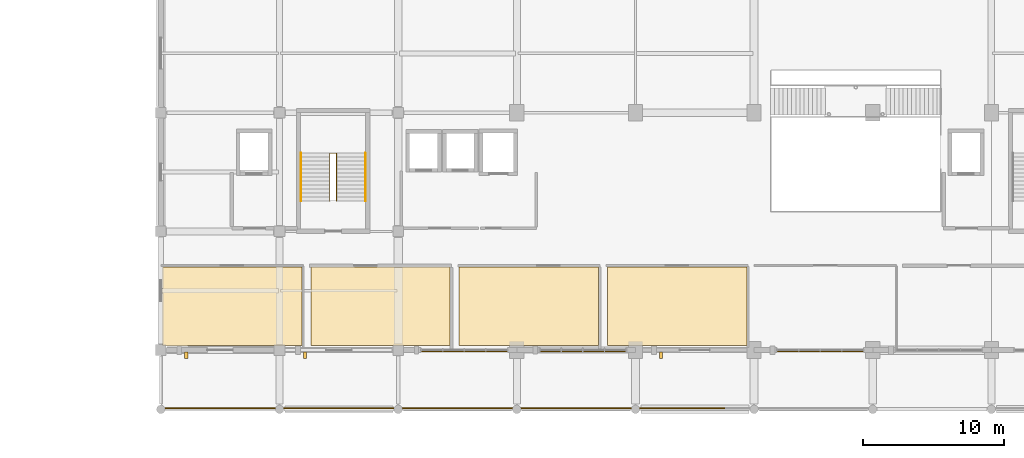
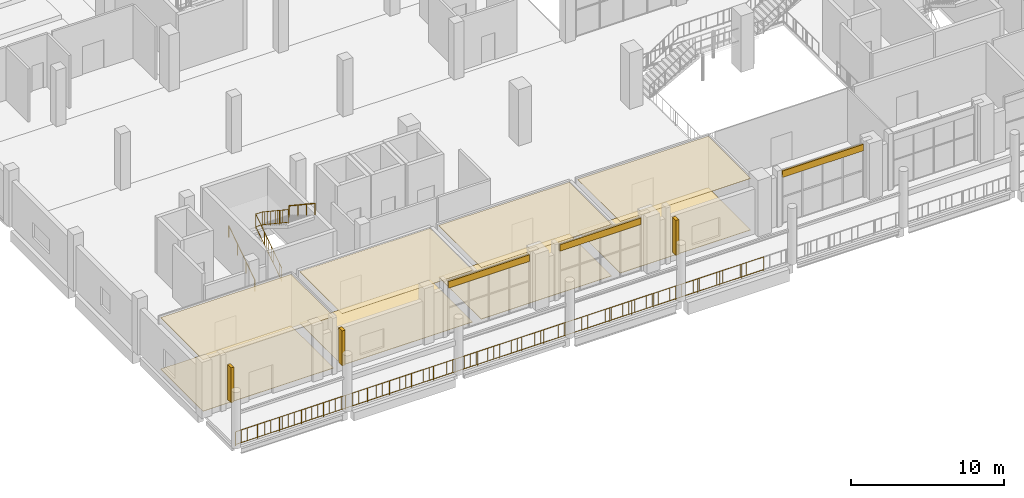
# One storey, part 68 of 75: 11 coverings, 5 railings, 3 shading devices.
"""IFC4 building model written with IfcOpenShell, lengths in metres."""

import ifcopenshell
import ifcopenshell.guid

model = None  # the IFC model being written
_history = None  # IfcOwnerHistory: only IFC2X3 demands one
_inside = {}  # id of a spatial element -> (the spatial element, [elements in it])
_under = {}  # id of a project, library or spatial element -> (it, [spatial elements below it])
_declared = {}  # id of a project -> (the project, [libraries it declares])
_typed = {}  # id of a type object -> (the type object, [elements of that type])
_made_of = {}  # id of a material, layer set ... -> (it, [elements and type objects made of it])


def new_model(schema):
    """Start an empty IFC model of exactly this schema.

    Asked for "IFC4X3", IfcOpenShell would pick the latest addendum, in which some entities
    have other attributes; the version numbers below select the first issue.
    IFC2X3 requires an IfcOwnerHistory on every rooted entity: one is made here for all.
    """
    global model, _history
    if schema == "IFC4X3":
        model = ifcopenshell.file(schema_version=(4, 3, 0, 0))
    else:
        model = ifcopenshell.file(schema=schema)
    _inside.clear()
    _under.clear()
    _declared.clear()
    _typed.clear()
    _made_of.clear()
    _history = None
    if model.schema == "IFC2X3":
        org = make("IfcOrganization", Name="unknown")
        user = make(
            "IfcPersonAndOrganization",
            ThePerson=make("IfcPerson", FamilyName="unknown"),
            TheOrganization=org,
        )
        app = make(
            "IfcApplication",
            ApplicationDeveloper=org,
            Version="unknown",
            ApplicationFullName="unknown",
            ApplicationIdentifier="unknown",
        )
        _history = make(
            "IfcOwnerHistory",
            OwningUser=user,
            OwningApplication=app,
            ChangeAction="ADDED",
            CreationDate=0,
        )
    return model


def make(cls, **values):
    """One entity of the class cls with the attributes given. An attribute that is None is left unset."""
    return model.create_entity(
        cls, **{name: value for name, value in values.items() if value is not None}
    )


def rooted(cls, **values):
    """An entity with a GlobalId (a new one), such as an element, a storey or a relation."""
    return make(cls, GlobalId=ifcopenshell.guid.new(), OwnerHistory=_history, **values)


def si_unit(unit_type, name, prefix=None):
    """IfcSIUnit, for example si_unit("LENGTHUNIT", "METRE", prefix="MILLI")."""
    return make("IfcSIUnit", UnitType=unit_type, Prefix=prefix, Name=name)


def derived_unit(unit_type, elements):
    """IfcDerivedUnit: a product of units, each with its exponent."""
    return make(
        "IfcDerivedUnit",
        Elements=[
            make("IfcDerivedUnitElement", Unit=unit, Exponent=power)
            for unit, power in elements
        ],
        UnitType=unit_type,
    )


def assignment(units):
    """IfcUnitAssignment: the units of a project."""
    return None if units is None else make("IfcUnitAssignment", Units=units)


def point(xyz):
    """IfcCartesianPoint."""
    return None if xyz is None else make("IfcCartesianPoint", Coordinates=xyz)


def direction(xyz):
    """IfcDirection."""
    return None if xyz is None else make("IfcDirection", DirectionRatios=xyz)


def frame(location, z_axis=None, x_axis=None):
    """IfcAxis2Placement3D, a coordinate frame: its origin and axes. An axis left out is left unset."""
    return make(
        "IfcAxis2Placement3D",
        Location=point(location),
        Axis=direction(z_axis),
        RefDirection=direction(x_axis),
    )


def frame_2d(location, x_axis=None):
    """IfcAxis2Placement2D, a coordinate frame in the plane: its origin and x axis."""
    return make(
        "IfcAxis2Placement2D", Location=point(location), RefDirection=direction(x_axis)
    )


def origin():
    """The frame at (0, 0, 0) with its axes left unset."""
    return frame((0.0, 0.0, 0.0))


def origin_2d():
    """The frame at (0, 0) in the plane with its x axis left unset."""
    return frame_2d((0.0, 0.0))


def place(relative_to, where):
    """IfcLocalPlacement: puts the frame where relative to a parent placement (None: the world)."""
    return make(
        "IfcLocalPlacement", PlacementRelTo=relative_to, RelativePlacement=where
    )


def context(
    kind, dimensions, precision=None, world=None, true_north=None, identifier=None
):
    """IfcGeometricRepresentationContext, for example the 3D "Model" context."""
    return make(
        "IfcGeometricRepresentationContext",
        ContextIdentifier=identifier,
        ContextType=kind,
        CoordinateSpaceDimension=dimensions,
        Precision=precision,
        WorldCoordinateSystem=world,
        TrueNorth=true_north,
    )


def subcontext(parent, identifier, kind, view, scale=None):
    """IfcGeometricRepresentationSubContext, for example "Body" below "Model"."""
    return make(
        "IfcGeometricRepresentationSubContext",
        ContextIdentifier=identifier,
        ContextType=kind,
        ParentContext=parent,
        TargetScale=scale,
        TargetView=view,
    )


def project(units=None, contexts=None):
    """IfcProject with its units and contexts."""
    return rooted(
        "IfcProject",
        Name="project",
        RepresentationContexts=contexts,
        UnitsInContext=assignment(units),
    )


def spatial(cls, under=None, at=None, **own):
    """A site, building, storey or space (cls), placed at a placement, below another one or the project."""
    s = rooted(cls, ObjectPlacement=at, **own)
    if under is not None:
        _under.setdefault(under.id(), (under, []))[1].append(s)
    return s


def polyline(points):
    """IfcPolyline through the points."""
    return make("IfcPolyline", Points=[point(p) for p in points])


def profile(cls, at=None, kind="AREA", **sizes):
    """A parametric profile (cls). Its sizes go by their IFC names, for example OverallWidth=200.0."""
    return make(cls, ProfileType=kind, Position=at, **sizes)


def rectangle(**sizes):
    """IfcRectangleProfileDef."""
    return profile("IfcRectangleProfileDef", **sizes)


def circle(**sizes):
    """IfcCircleProfileDef."""
    return profile("IfcCircleProfileDef", **sizes)


def outline(outer, holes=None, kind="AREA"):
    """IfcArbitraryClosedProfileDef: a profile drawn as a closed curve; with holes, ...WithVoids."""
    if holes is None:
        return make("IfcArbitraryClosedProfileDef", ProfileType=kind, OuterCurve=outer)
    return make(
        "IfcArbitraryProfileDefWithVoids",
        ProfileType=kind,
        OuterCurve=outer,
        InnerCurves=holes,
    )


def extrude(swept, where, along, depth):
    """IfcExtrudedAreaSolid: the profile swept, set in the frame where, extruded along a direction by depth."""
    return make(
        "IfcExtrudedAreaSolid",
        SweptArea=swept,
        Position=where,
        ExtrudedDirection=direction(along),
        Depth=depth,
    )


def shape(context_of_items, identifier, shape_type, items):
    """IfcShapeRepresentation: the items that make up one representation, for example the "Body"."""
    return make(
        "IfcShapeRepresentation",
        ContextOfItems=context_of_items,
        RepresentationIdentifier=identifier,
        RepresentationType=shape_type,
        Items=items,
    )


def material(Name=None, Category=None):
    """IfcMaterial."""
    return make("IfcMaterial", Name=Name, Category=Category)


def layer(
    of_material, thickness, ventilated=None, Name=None, Category=None, Priority=None
):
    """IfcMaterialLayer: one layer of a wall or slab, of a material (None: an air gap)."""
    return make(
        "IfcMaterialLayer",
        Material=of_material,
        LayerThickness=thickness,
        IsVentilated=ventilated,
        Name=Name,
        Category=Category,
        Priority=Priority,
    )


def layer_set(layers, Name=None):
    """IfcMaterialLayerSet."""
    return make("IfcMaterialLayerSet", MaterialLayers=layers, LayerSetName=Name)


def made_of(thing, what):
    """Note that an element or type object is made of a material, layer set ...; save() writes the relation."""
    if what is not None:
        _made_of.setdefault(what.id(), (what, []))[1].append(thing)
    return thing


def type_object(cls, material=None, **own):
    """A type object (cls), such as IfcWallType, which elements share."""
    return made_of(rooted(cls, **own), material)


def element(
    cls,
    number,
    at=None,
    inside=None,
    cuts=None,
    type_object=None,
    material=None,
    context=None,
    identifier="Body",
    shape_type=None,
    held_by="IfcProductDefinitionShape",
    body=None,
    shapes=None,
    **own,
):
    """One element of the class cls, such as IfcWall. Its Tag is "e" and its number.

    at: its placement. inside: the storey or other place that contains it. cuts: it is an
    opening in that element (IfcRelVoidsElement). A single representation is given by context,
    identifier, shape_type and body (its items); several are given by shapes. held_by: the class
    of the entity that holds the representations. save() writes the other relations.
    """
    e = rooted(cls, Tag="e%d" % number, ObjectPlacement=at, **own)
    if body is not None:
        shapes = [shape(context, identifier, shape_type, body)]
    if shapes is not None:
        e.Representation = make(held_by, Representations=shapes)
    if inside is not None:
        _inside.setdefault(inside.id(), (inside, []))[1].append(e)
    if cuts is not None:
        rooted(
            "IfcRelVoidsElement", RelatingBuildingElement=cuts, RelatedOpeningElement=e
        )
    if type_object is not None:
        _typed.setdefault(type_object.id(), (type_object, []))[1].append(e)
    return made_of(e, material)


def aggregate(whole, parts):
    """IfcRelAggregates: a whole, such as a stair, and the parts it consists of."""
    return rooted("IfcRelAggregates", RelatingObject=whole, RelatedObjects=parts)


def save(model, path):
    """Write the relations noted so far, then the file.

    IfcRelAggregates (storeys below a building ...), IfcRelContainedInSpatialStructure (elements
    in a storey), IfcRelDefinesByType, IfcRelAssociatesMaterial and IfcRelDeclares: one each for
    every whole, place, type object, material and project.
    """
    for whole, parts in _under.values():
        aggregate(whole, parts)
    for where, things in _inside.values():
        rooted(
            "IfcRelContainedInSpatialStructure",
            RelatedElements=things,
            RelatingStructure=where,
        )
    for kind, things in _typed.values():
        rooted("IfcRelDefinesByType", RelatedObjects=things, RelatingType=kind)
    for what, things in _made_of.values():
        rooted("IfcRelAssociatesMaterial", RelatedObjects=things, RelatingMaterial=what)
    for by, libraries in _declared.values():
        rooted("IfcRelDeclares", RelatingContext=by, RelatedDefinitions=libraries)
    model.write(path)


model = new_model("IFC4")

# Units and contexts
model_context = context("Model", 3, precision=1e-05, world=origin(), true_north=direction((0.0, 1.0)))
body_context = subcontext(model_context, "Body", "Model", "MODEL_VIEW")
ifc_project = project(units=[si_unit("LENGTHUNIT", "METRE"), si_unit("AREAUNIT", "SQUARE_METRE"), si_unit("VOLUMEUNIT", "CUBIC_METRE"), si_unit("PLANEANGLEUNIT", "RADIAN"), si_unit("MASSUNIT", "GRAM", prefix="KILO"), derived_unit("THERMALTRANSMITTANCEUNIT", [(si_unit("POWERUNIT", "WATT"), 1), (si_unit("LENGTHUNIT", "METRE"), -2), (si_unit("THERMODYNAMICTEMPERATUREUNIT", "KELVIN"), -1)])], contexts=[model_context])

# Site, building, storey
site_placement = place(None, origin())
site = spatial("IfcSite", under=ifc_project, at=site_placement, CompositionType="ELEMENT")
building_placement = place(site_placement, origin())
building = spatial("IfcBuilding", under=site, at=building_placement, Name="Barrovel Congress Hotel", CompositionType="ELEMENT")
storey_placement = place(building_placement, frame((0.0, 0.0, 5.39990234375)))
storey = spatial("IfcBuildingStorey", under=building, at=storey_placement, Name="L01", CompositionType="ELEMENT", Elevation=5.39990234375)

# Coverings
ifc_material_1 = material(Name="Perforated Timber Acoustic Ceiling", Category="wood")
ifc_layer_1 = layer(ifc_material_1, 0.030029296875)
ifc_layer_set_1 = layer_set([ifc_layer_1], Name="Perforated Timber Acoustic Ceiling")
covering_type_1 = type_object("IfcCoveringType", Name="COV-CEIL-ACU", PredefinedType="CEILING", material=ifc_layer_set_1)
covering_1_placement = place(storey_placement, frame((0.0, 0.0, 4.110107421875)))
element("IfcCovering", 1, at=covering_1_placement, inside=storey, type_object=covering_type_1, Name="CEIL:09", PredefinedType="CEILING", context=body_context, shape_type="SweptSolid", body=[
    extrude(outline(polyline([(16.919921875, 4.52001953125), (26.780029296875, 4.52001953125), (26.780029296875, 10.080078125), (16.919921875, 10.080078125), (16.919921875, 4.52001953125)])), origin(), (0.0, 0.0, 1.0), 0.030029296875),
])
covering_2_placement = place(storey_placement, frame((0.0, 0.0, 4.110107421875)))
element("IfcCovering", 2, at=covering_2_placement, inside=storey, type_object=covering_type_1, Name="CEIL:10", PredefinedType="CEILING", context=body_context, shape_type="SweptSolid", body=[
    extrude(outline(polyline([(27.419921875, 4.52001953125), (37.280029296875, 4.52001953125), (37.280029296875, 10.080078125), (27.419921875, 10.080078125), (27.419921875, 4.52001953125)])), origin(), (0.0, 0.0, 1.0), 0.030029296875),
])
covering_3_placement = place(storey_placement, frame((0.0, 0.0, 4.110107421875)))
element("IfcCovering", 3, at=covering_3_placement, inside=storey, type_object=covering_type_1, Name="CEIL:11", PredefinedType="CEILING", context=body_context, shape_type="SweptSolid", body=[
    extrude(outline(polyline([(37.919921875, 4.52001953125), (47.780029296875, 4.52001953125), (47.780029296875, 10.080078125), (37.919921875, 10.080078125), (37.919921875, 4.52001953125)])), origin(), (0.0, 0.0, 1.0), 0.030029296875),
])
covering_4_placement = place(storey_placement, frame((0.0, 0.0, 4.110107421875)))
element("IfcCovering", 4, at=covering_4_placement, inside=storey, type_object=covering_type_1, Name="CEIL:12", PredefinedType="CEILING", context=body_context, shape_type="SweptSolid", body=[
    extrude(outline(polyline([(48.419921875, 4.52001953125), (58.280029296875, 4.52001953125), (58.280029296875, 10.080078125), (48.419921875, 10.080078125), (48.419921875, 4.52001953125)])), origin(), (0.0, 0.0, 1.0), 0.030029296875),
])
ifc_material_2 = material(Name="Glazed Terracotta Spandrel", Category="masonry")
ifc_layer_2 = layer(ifc_material_2, 0.1201171875)
ifc_layer_set_2 = layer_set([ifc_layer_2], Name="Glazed Terracotta Spandrel")
covering_type_2 = type_object("IfcCoveringType", Name="COV-CLAD-TERRA", PredefinedType="CLADDING", material=ifc_layer_set_2)
for number, where, z_axis, x_axis, name in (
    (5, (38.280029296875, 4.14990234375, 3.710205078125), (0.0, 0.0, 1.0), (1.0, 0.0, 0.0), "CLAD:L01:S:04"),
    (6, (46.679931640625, 4.14990234375, 3.710205078125), (0.0, 0.0, 1.0), (1.0, 0.0, 0.0), "CLAD:L01:S:05"),
    (7, (63.47998046875, 4.14990234375, 3.710205078125), (0.0, 0.0, 1.0), (1.0, 0.0, 0.0), "CLAD:L01:S:07"),
):
    element("IfcCovering", number, at=place(storey_placement, frame(where, z_axis=z_axis, x_axis=x_axis)), inside=storey, type_object=covering_type_2, Name=name, PredefinedType="CLADDING", context=body_context, shape_type="SweptSolid", body=[
        extrude(rectangle(XDim=6.1201171875, YDim=0.1201171875, at=origin_2d()), origin(), (0.0, 0.0, 1.0), 0.52001953125),
    ])
ifc_material_3 = material(Name="Polished Monterrey Limestone Terrazzo", Category="masonry")
ifc_layer_3 = layer(ifc_material_3, 0.030029296875)
ifc_layer_set_3 = layer_set([ifc_layer_3], Name="Polished Monterrey Limestone Terrazzo")
covering_type_3 = type_object("IfcCoveringType", Name="COV-FLOR-TRZ", PredefinedType="FLOORING", material=ifc_layer_set_3)
covering_5_placement = place(storey_placement, origin())
element("IfcCovering", 8, at=covering_5_placement, inside=storey, type_object=covering_type_3, Name="FLOR:09", PredefinedType="FLOORING", context=body_context, shape_type="SweptSolid", body=[
    extrude(outline(polyline([(16.919921875, 4.52001953125), (26.780029296875, 4.52001953125), (26.780029296875, 10.080078125), (16.919921875, 10.080078125), (16.919921875, 4.52001953125)])), origin(), (0.0, 0.0, 1.0), 0.030029296875),
])
covering_6_placement = place(storey_placement, origin())
element("IfcCovering", 9, at=covering_6_placement, inside=storey, type_object=covering_type_3, Name="FLOR:10", PredefinedType="FLOORING", context=body_context, shape_type="SweptSolid", body=[
    extrude(outline(polyline([(27.419921875, 4.52001953125), (37.280029296875, 4.52001953125), (37.280029296875, 10.080078125), (27.419921875, 10.080078125), (27.419921875, 4.52001953125)])), origin(), (0.0, 0.0, 1.0), 0.030029296875),
])
covering_7_placement = place(storey_placement, origin())
element("IfcCovering", 10, at=covering_7_placement, inside=storey, type_object=covering_type_3, Name="FLOR:11", PredefinedType="FLOORING", context=body_context, shape_type="SweptSolid", body=[
    extrude(outline(polyline([(37.919921875, 4.52001953125), (47.780029296875, 4.52001953125), (47.780029296875, 10.080078125), (37.919921875, 10.080078125), (37.919921875, 4.52001953125)])), origin(), (0.0, 0.0, 1.0), 0.030029296875),
])
covering_8_placement = place(storey_placement, origin())
element("IfcCovering", 11, at=covering_8_placement, inside=storey, type_object=covering_type_3, Name="FLOR:12", PredefinedType="FLOORING", context=body_context, shape_type="SweptSolid", body=[
    extrude(outline(polyline([(48.419921875, 4.52001953125), (58.280029296875, 4.52001953125), (58.280029296875, 10.080078125), (48.419921875, 10.080078125), (48.419921875, 4.52001953125)])), origin(), (0.0, 0.0, 1.0), 0.030029296875),
])

# Railings
ifc_material_4 = material(Name="Painted Architectural Steel", Category="steel")
ifc_layer_4 = layer(ifc_material_4, 0.080078125)
ifc_layer_set_4 = layer_set([ifc_layer_4], Name="Painted Architectural Steel")
railing_type_1 = type_object("IfcRailingType", Name="RAIL-GUARD-EXT", PredefinedType="BALUSTRADE", material=ifc_layer_set_4)
railing_1_placement = place(storey_placement, frame((16.800048828125, 0.080078125, 0.0)))
element("IfcRailing", 12, at=railing_1_placement, inside=storey, type_object=railing_type_1, Name="Arcade Promenade Guardrail 1", PredefinedType="BALUSTRADE", context=body_context, shape_type="SweptSolid", body=[
    extrude(circle(Radius=0.02392578125, at=origin_2d()), frame((0.0, 0.0, 1.11572265625), z_axis=(1.0, 0.0, 0.0), x_axis=(0.0, 1.0, 0.0)), (0.0, 0.0, 1.0), 19.949951171875),
    extrude(circle(Radius=0.02392578125, at=origin_2d()), frame((0.0, 0.0, 0.10009765625), z_axis=(1.0, 0.0, 0.0), x_axis=(0.0, 1.0, 0.0)), (0.0, 0.0, 1.0), 19.949951171875),
    extrude(circle(Radius=0.010009765625, at=origin_2d()), frame((0.443359375, 0.0, 0.10009765625)), (0.0, 0.0, 1.0), 0.99169921875),
    extrude(circle(Radius=0.010009765625, at=origin_2d()), frame((0.88671875, 0.0, 0.10009765625)), (0.0, 0.0, 1.0), 0.99169921875),
    extrude(circle(Radius=0.010009765625, at=origin_2d()), frame((1.330078125, 0.0, 0.10009765625)), (0.0, 0.0, 1.0), 0.99169921875),
    extrude(circle(Radius=0.010009765625, at=origin_2d()), frame((1.7734375, 0.0, 0.10009765625)), (0.0, 0.0, 1.0), 0.99169921875),
    extrude(circle(Radius=0.010009765625, at=origin_2d()), frame((2.216552734375, 0.0, 0.10009765625)), (0.0, 0.0, 1.0), 0.99169921875),
    extrude(circle(Radius=0.010009765625, at=origin_2d()), frame((2.659912109375, 0.0, 0.10009765625)), (0.0, 0.0, 1.0), 0.99169921875),
    extrude(circle(Radius=0.010009765625, at=origin_2d()), frame((3.103271484375, 0.0, 0.10009765625)), (0.0, 0.0, 1.0), 0.99169921875),
    extrude(circle(Radius=0.010009765625, at=origin_2d()), frame((3.546630859375, 0.0, 0.10009765625)), (0.0, 0.0, 1.0), 0.99169921875),
    extrude(circle(Radius=0.010009765625, at=origin_2d()), frame((3.989990234375, 0.0, 0.10009765625)), (0.0, 0.0, 1.0), 0.99169921875),
    extrude(circle(Radius=0.010009765625, at=origin_2d()), frame((4.433349609375, 0.0, 0.10009765625)), (0.0, 0.0, 1.0), 0.99169921875),
    extrude(circle(Radius=0.010009765625, at=origin_2d()), frame((4.876708984375, 0.0, 0.10009765625)), (0.0, 0.0, 1.0), 0.99169921875),
    extrude(circle(Radius=0.010009765625, at=origin_2d()), frame((5.320068359375, 0.0, 0.10009765625)), (0.0, 0.0, 1.0), 0.99169921875),
    extrude(circle(Radius=0.010009765625, at=origin_2d()), frame((5.763427734375, 0.0, 0.10009765625)), (0.0, 0.0, 1.0), 0.99169921875),
    extrude(circle(Radius=0.010009765625, at=origin_2d()), frame((6.20654296875, 0.0, 0.10009765625)), (0.0, 0.0, 1.0), 0.99169921875),
    extrude(circle(Radius=0.010009765625, at=origin_2d()), frame((6.64990234375, 0.0, 0.10009765625)), (0.0, 0.0, 1.0), 0.99169921875),
    extrude(circle(Radius=0.010009765625, at=origin_2d()), frame((7.09326171875, 0.0, 0.10009765625)), (0.0, 0.0, 1.0), 0.99169921875),
    extrude(circle(Radius=0.010009765625, at=origin_2d()), frame((7.53662109375, 0.0, 0.10009765625)), (0.0, 0.0, 1.0), 0.99169921875),
    extrude(circle(Radius=0.010009765625, at=origin_2d()), frame((7.97998046875, 0.0, 0.10009765625)), (0.0, 0.0, 1.0), 0.99169921875),
    extrude(circle(Radius=0.010009765625, at=origin_2d()), frame((8.42333984375, 0.0, 0.10009765625)), (0.0, 0.0, 1.0), 0.99169921875),
    extrude(circle(Radius=0.010009765625, at=origin_2d()), frame((8.86669921875, 0.0, 0.10009765625)), (0.0, 0.0, 1.0), 0.99169921875),
    extrude(circle(Radius=0.010009765625, at=origin_2d()), frame((9.31005859375, 0.0, 0.10009765625)), (0.0, 0.0, 1.0), 0.99169921875),
    extrude(circle(Radius=0.010009765625, at=origin_2d()), frame((9.75341796875, 0.0, 0.10009765625)), (0.0, 0.0, 1.0), 0.99169921875),
    extrude(circle(Radius=0.010009765625, at=origin_2d()), frame((10.196533203125, 0.0, 0.10009765625)), (0.0, 0.0, 1.0), 0.99169921875),
    extrude(circle(Radius=0.010009765625, at=origin_2d()), frame((10.639892578125, 0.0, 0.10009765625)), (0.0, 0.0, 1.0), 0.99169921875),
    extrude(circle(Radius=0.010009765625, at=origin_2d()), frame((11.083251953125, 0.0, 0.10009765625)), (0.0, 0.0, 1.0), 0.99169921875),
    extrude(circle(Radius=0.010009765625, at=origin_2d()), frame((11.526611328125, 0.0, 0.10009765625)), (0.0, 0.0, 1.0), 0.99169921875),
    extrude(circle(Radius=0.010009765625, at=origin_2d()), frame((11.969970703125, 0.0, 0.10009765625)), (0.0, 0.0, 1.0), 0.99169921875),
    extrude(circle(Radius=0.010009765625, at=origin_2d()), frame((12.413330078125, 0.0, 0.10009765625)), (0.0, 0.0, 1.0), 0.99169921875),
    extrude(circle(Radius=0.010009765625, at=origin_2d()), frame((12.856689453125, 0.0, 0.10009765625)), (0.0, 0.0, 1.0), 0.99169921875),
    extrude(circle(Radius=0.010009765625, at=origin_2d()), frame((13.300048828125, 0.0, 0.10009765625)), (0.0, 0.0, 1.0), 0.99169921875),
    extrude(circle(Radius=0.010009765625, at=origin_2d()), frame((13.743408203125, 0.0, 0.10009765625)), (0.0, 0.0, 1.0), 0.99169921875),
    extrude(circle(Radius=0.010009765625, at=origin_2d()), frame((14.1865234375, 0.0, 0.10009765625)), (0.0, 0.0, 1.0), 0.99169921875),
    extrude(circle(Radius=0.010009765625, at=origin_2d()), frame((14.6298828125, 0.0, 0.10009765625)), (0.0, 0.0, 1.0), 0.99169921875),
    extrude(circle(Radius=0.010009765625, at=origin_2d()), frame((15.0732421875, 0.0, 0.10009765625)), (0.0, 0.0, 1.0), 0.99169921875),
    extrude(circle(Radius=0.010009765625, at=origin_2d()), frame((15.5166015625, 0.0, 0.10009765625)), (0.0, 0.0, 1.0), 0.99169921875),
    extrude(circle(Radius=0.010009765625, at=origin_2d()), frame((15.9599609375, 0.0, 0.10009765625)), (0.0, 0.0, 1.0), 0.99169921875),
    extrude(circle(Radius=0.010009765625, at=origin_2d()), frame((16.4033203125, 0.0, 0.10009765625)), (0.0, 0.0, 1.0), 0.99169921875),
    extrude(circle(Radius=0.010009765625, at=origin_2d()), frame((16.8466796875, 0.0, 0.10009765625)), (0.0, 0.0, 1.0), 0.99169921875),
    extrude(circle(Radius=0.010009765625, at=origin_2d()), frame((17.2900390625, 0.0, 0.10009765625)), (0.0, 0.0, 1.0), 0.99169921875),
    extrude(circle(Radius=0.010009765625, at=origin_2d()), frame((17.7333984375, 0.0, 0.10009765625)), (0.0, 0.0, 1.0), 0.99169921875),
    extrude(circle(Radius=0.010009765625, at=origin_2d()), frame((18.176513671875, 0.0, 0.10009765625)), (0.0, 0.0, 1.0), 0.99169921875),
    extrude(circle(Radius=0.010009765625, at=origin_2d()), frame((18.619873046875, 0.0, 0.10009765625)), (0.0, 0.0, 1.0), 0.99169921875),
    extrude(circle(Radius=0.010009765625, at=origin_2d()), frame((19.063232421875, 0.0, 0.10009765625)), (0.0, 0.0, 1.0), 0.99169921875),
    extrude(circle(Radius=0.010009765625, at=origin_2d()), frame((19.506591796875, 0.0, 0.10009765625)), (0.0, 0.0, 1.0), 0.99169921875),
    extrude(circle(Radius=0.02099609375, at=origin_2d()), origin(), (0.0, 0.0, 1.0), 1.091796875),
    extrude(circle(Radius=0.02099609375, at=origin_2d()), frame((1.66259765625, 0.0, 0.0)), (0.0, 0.0, 1.0), 1.091796875),
    extrude(circle(Radius=0.02099609375, at=origin_2d()), frame((3.324951171875, 0.0, 0.0)), (0.0, 0.0, 1.0), 1.091796875),
    extrude(circle(Radius=0.02099609375, at=origin_2d()), frame((4.987548828125, 0.0, 0.0)), (0.0, 0.0, 1.0), 1.091796875),
    extrude(circle(Radius=0.02099609375, at=origin_2d()), frame((6.64990234375, 0.0, 0.0)), (0.0, 0.0, 1.0), 1.091796875),
    extrude(circle(Radius=0.02099609375, at=origin_2d()), frame((8.3125, 0.0, 0.0)), (0.0, 0.0, 1.0), 1.091796875),
    extrude(circle(Radius=0.02099609375, at=origin_2d()), frame((9.97509765625, 0.0, 0.0)), (0.0, 0.0, 1.0), 1.091796875),
    extrude(circle(Radius=0.02099609375, at=origin_2d()), frame((11.637451171875, 0.0, 0.0)), (0.0, 0.0, 1.0), 1.091796875),
    extrude(circle(Radius=0.02099609375, at=origin_2d()), frame((13.300048828125, 0.0, 0.0)), (0.0, 0.0, 1.0), 1.091796875),
    extrude(circle(Radius=0.02099609375, at=origin_2d()), frame((14.96240234375, 0.0, 0.0)), (0.0, 0.0, 1.0), 1.091796875),
    extrude(circle(Radius=0.02099609375, at=origin_2d()), frame((16.625, 0.0, 0.0)), (0.0, 0.0, 1.0), 1.091796875),
    extrude(circle(Radius=0.02099609375, at=origin_2d()), frame((18.287353515625, 0.0, 0.0)), (0.0, 0.0, 1.0), 1.091796875),
    extrude(circle(Radius=0.02099609375, at=origin_2d()), frame((19.949951171875, 0.0, 0.0)), (0.0, 0.0, 1.0), 1.091796875),
])
railing_2_placement = place(storey_placement, frame((36.75, 0.080078125, 0.0)))
element("IfcRailing", 13, at=railing_2_placement, inside=storey, type_object=railing_type_1, Name="Arcade Promenade Guardrail 2", PredefinedType="BALUSTRADE", context=body_context, shape_type="SweptSolid", body=[
    extrude(circle(Radius=0.02392578125, at=origin_2d()), frame((0.0, 0.0, 1.11572265625), z_axis=(1.0, 0.0, 0.0), x_axis=(0.0, 1.0, 0.0)), (0.0, 0.0, 1.0), 19.949951171875),
    extrude(circle(Radius=0.02392578125, at=origin_2d()), frame((0.0, 0.0, 0.10009765625), z_axis=(1.0, 0.0, 0.0), x_axis=(0.0, 1.0, 0.0)), (0.0, 0.0, 1.0), 19.949951171875),
    extrude(circle(Radius=0.010009765625, at=origin_2d()), frame((0.443359375, 0.0, 0.10009765625)), (0.0, 0.0, 1.0), 0.99169921875),
    extrude(circle(Radius=0.010009765625, at=origin_2d()), frame((0.88671875, 0.0, 0.10009765625)), (0.0, 0.0, 1.0), 0.99169921875),
    extrude(circle(Radius=0.010009765625, at=origin_2d()), frame((1.330078125, 0.0, 0.10009765625)), (0.0, 0.0, 1.0), 0.99169921875),
    extrude(circle(Radius=0.010009765625, at=origin_2d()), frame((1.7734375, 0.0, 0.10009765625)), (0.0, 0.0, 1.0), 0.99169921875),
    extrude(circle(Radius=0.010009765625, at=origin_2d()), frame((2.216552734375, 0.0, 0.10009765625)), (0.0, 0.0, 1.0), 0.99169921875),
    extrude(circle(Radius=0.010009765625, at=origin_2d()), frame((2.659912109375, 0.0, 0.10009765625)), (0.0, 0.0, 1.0), 0.99169921875),
    extrude(circle(Radius=0.010009765625, at=origin_2d()), frame((3.103271484375, 0.0, 0.10009765625)), (0.0, 0.0, 1.0), 0.99169921875),
    extrude(circle(Radius=0.010009765625, at=origin_2d()), frame((3.546630859375, 0.0, 0.10009765625)), (0.0, 0.0, 1.0), 0.99169921875),
    extrude(circle(Radius=0.010009765625, at=origin_2d()), frame((3.989990234375, 0.0, 0.10009765625)), (0.0, 0.0, 1.0), 0.99169921875),
    extrude(circle(Radius=0.010009765625, at=origin_2d()), frame((4.433349609375, 0.0, 0.10009765625)), (0.0, 0.0, 1.0), 0.99169921875),
    extrude(circle(Radius=0.010009765625, at=origin_2d()), frame((4.876708984375, 0.0, 0.10009765625)), (0.0, 0.0, 1.0), 0.99169921875),
    extrude(circle(Radius=0.010009765625, at=origin_2d()), frame((5.320068359375, 0.0, 0.10009765625)), (0.0, 0.0, 1.0), 0.99169921875),
    extrude(circle(Radius=0.010009765625, at=origin_2d()), frame((5.763427734375, 0.0, 0.10009765625)), (0.0, 0.0, 1.0), 0.99169921875),
    extrude(circle(Radius=0.010009765625, at=origin_2d()), frame((6.20654296875, 0.0, 0.10009765625)), (0.0, 0.0, 1.0), 0.99169921875),
    extrude(circle(Radius=0.010009765625, at=origin_2d()), frame((6.64990234375, 0.0, 0.10009765625)), (0.0, 0.0, 1.0), 0.99169921875),
    extrude(circle(Radius=0.010009765625, at=origin_2d()), frame((7.09326171875, 0.0, 0.10009765625)), (0.0, 0.0, 1.0), 0.99169921875),
    extrude(circle(Radius=0.010009765625, at=origin_2d()), frame((7.53662109375, 0.0, 0.10009765625)), (0.0, 0.0, 1.0), 0.99169921875),
    extrude(circle(Radius=0.010009765625, at=origin_2d()), frame((7.97998046875, 0.0, 0.10009765625)), (0.0, 0.0, 1.0), 0.99169921875),
    extrude(circle(Radius=0.010009765625, at=origin_2d()), frame((8.42333984375, 0.0, 0.10009765625)), (0.0, 0.0, 1.0), 0.99169921875),
    extrude(circle(Radius=0.010009765625, at=origin_2d()), frame((8.86669921875, 0.0, 0.10009765625)), (0.0, 0.0, 1.0), 0.99169921875),
    extrude(circle(Radius=0.010009765625, at=origin_2d()), frame((9.31005859375, 0.0, 0.10009765625)), (0.0, 0.0, 1.0), 0.99169921875),
    extrude(circle(Radius=0.010009765625, at=origin_2d()), frame((9.75341796875, 0.0, 0.10009765625)), (0.0, 0.0, 1.0), 0.99169921875),
    extrude(circle(Radius=0.010009765625, at=origin_2d()), frame((10.196533203125, 0.0, 0.10009765625)), (0.0, 0.0, 1.0), 0.99169921875),
    extrude(circle(Radius=0.010009765625, at=origin_2d()), frame((10.639892578125, 0.0, 0.10009765625)), (0.0, 0.0, 1.0), 0.99169921875),
    extrude(circle(Radius=0.010009765625, at=origin_2d()), frame((11.083251953125, 0.0, 0.10009765625)), (0.0, 0.0, 1.0), 0.99169921875),
    extrude(circle(Radius=0.010009765625, at=origin_2d()), frame((11.526611328125, 0.0, 0.10009765625)), (0.0, 0.0, 1.0), 0.99169921875),
    extrude(circle(Radius=0.010009765625, at=origin_2d()), frame((11.969970703125, 0.0, 0.10009765625)), (0.0, 0.0, 1.0), 0.99169921875),
    extrude(circle(Radius=0.010009765625, at=origin_2d()), frame((12.413330078125, 0.0, 0.10009765625)), (0.0, 0.0, 1.0), 0.99169921875),
    extrude(circle(Radius=0.010009765625, at=origin_2d()), frame((12.856689453125, 0.0, 0.10009765625)), (0.0, 0.0, 1.0), 0.99169921875),
    extrude(circle(Radius=0.010009765625, at=origin_2d()), frame((13.300048828125, 0.0, 0.10009765625)), (0.0, 0.0, 1.0), 0.99169921875),
    extrude(circle(Radius=0.010009765625, at=origin_2d()), frame((13.743408203125, 0.0, 0.10009765625)), (0.0, 0.0, 1.0), 0.99169921875),
    extrude(circle(Radius=0.010009765625, at=origin_2d()), frame((14.1865234375, 0.0, 0.10009765625)), (0.0, 0.0, 1.0), 0.99169921875),
    extrude(circle(Radius=0.010009765625, at=origin_2d()), frame((14.6298828125, 0.0, 0.10009765625)), (0.0, 0.0, 1.0), 0.99169921875),
    extrude(circle(Radius=0.010009765625, at=origin_2d()), frame((15.0732421875, 0.0, 0.10009765625)), (0.0, 0.0, 1.0), 0.99169921875),
    extrude(circle(Radius=0.010009765625, at=origin_2d()), frame((15.5166015625, 0.0, 0.10009765625)), (0.0, 0.0, 1.0), 0.99169921875),
    extrude(circle(Radius=0.010009765625, at=origin_2d()), frame((15.9599609375, 0.0, 0.10009765625)), (0.0, 0.0, 1.0), 0.99169921875),
    extrude(circle(Radius=0.010009765625, at=origin_2d()), frame((16.4033203125, 0.0, 0.10009765625)), (0.0, 0.0, 1.0), 0.99169921875),
    extrude(circle(Radius=0.010009765625, at=origin_2d()), frame((16.8466796875, 0.0, 0.10009765625)), (0.0, 0.0, 1.0), 0.99169921875),
    extrude(circle(Radius=0.010009765625, at=origin_2d()), frame((17.2900390625, 0.0, 0.10009765625)), (0.0, 0.0, 1.0), 0.99169921875),
    extrude(circle(Radius=0.010009765625, at=origin_2d()), frame((17.7333984375, 0.0, 0.10009765625)), (0.0, 0.0, 1.0), 0.99169921875),
    extrude(circle(Radius=0.010009765625, at=origin_2d()), frame((18.176513671875, 0.0, 0.10009765625)), (0.0, 0.0, 1.0), 0.99169921875),
    extrude(circle(Radius=0.010009765625, at=origin_2d()), frame((18.619873046875, 0.0, 0.10009765625)), (0.0, 0.0, 1.0), 0.99169921875),
    extrude(circle(Radius=0.010009765625, at=origin_2d()), frame((19.063232421875, 0.0, 0.10009765625)), (0.0, 0.0, 1.0), 0.99169921875),
    extrude(circle(Radius=0.010009765625, at=origin_2d()), frame((19.506591796875, 0.0, 0.10009765625)), (0.0, 0.0, 1.0), 0.99169921875),
    extrude(circle(Radius=0.02099609375, at=origin_2d()), origin(), (0.0, 0.0, 1.0), 1.091796875),
    extrude(circle(Radius=0.02099609375, at=origin_2d()), frame((1.66259765625, 0.0, 0.0)), (0.0, 0.0, 1.0), 1.091796875),
    extrude(circle(Radius=0.02099609375, at=origin_2d()), frame((3.324951171875, 0.0, 0.0)), (0.0, 0.0, 1.0), 1.091796875),
    extrude(circle(Radius=0.02099609375, at=origin_2d()), frame((4.987548828125, 0.0, 0.0)), (0.0, 0.0, 1.0), 1.091796875),
    extrude(circle(Radius=0.02099609375, at=origin_2d()), frame((6.64990234375, 0.0, 0.0)), (0.0, 0.0, 1.0), 1.091796875),
    extrude(circle(Radius=0.02099609375, at=origin_2d()), frame((8.3125, 0.0, 0.0)), (0.0, 0.0, 1.0), 1.091796875),
    extrude(circle(Radius=0.02099609375, at=origin_2d()), frame((9.97509765625, 0.0, 0.0)), (0.0, 0.0, 1.0), 1.091796875),
    extrude(circle(Radius=0.02099609375, at=origin_2d()), frame((11.637451171875, 0.0, 0.0)), (0.0, 0.0, 1.0), 1.091796875),
    extrude(circle(Radius=0.02099609375, at=origin_2d()), frame((13.300048828125, 0.0, 0.0)), (0.0, 0.0, 1.0), 1.091796875),
    extrude(circle(Radius=0.02099609375, at=origin_2d()), frame((14.96240234375, 0.0, 0.0)), (0.0, 0.0, 1.0), 1.091796875),
    extrude(circle(Radius=0.02099609375, at=origin_2d()), frame((16.625, 0.0, 0.0)), (0.0, 0.0, 1.0), 1.091796875),
    extrude(circle(Radius=0.02099609375, at=origin_2d()), frame((18.287353515625, 0.0, 0.0)), (0.0, 0.0, 1.0), 1.091796875),
    extrude(circle(Radius=0.02099609375, at=origin_2d()), frame((19.949951171875, 0.0, 0.0)), (0.0, 0.0, 1.0), 1.091796875),
])
ifc_layer_5 = layer(ifc_material_4, 0.070068359375)
ifc_layer_set_5 = layer_set([ifc_layer_5], Name="Painted Architectural Steel")
railing_type_2 = type_object("IfcRailingType", Name="RAIL-GUARD-INT", PredefinedType="BALUSTRADE", material=ifc_layer_set_5)
railing_3_placement = place(storey_placement, frame((28.760009765625, 14.739990234375, 0.0)))
element("IfcRailing", 14, at=railing_3_placement, inside=storey, type_object=railing_type_2, Name="STAIR:XS-01:L01:GR-W", PredefinedType="BALUSTRADE", context=body_context, shape_type="SweptSolid", body=[
    extrude(circle(Radius=0.02392578125, at=origin_2d()), frame((0.0, 0.0, 1.11572265625), z_axis=(0.0, 0.833174834292, 0.553009670352), x_axis=(-1.0, 0.0, 0.0)), (0.0, 0.0, 1.0), 4.068603515625),
    extrude(circle(Radius=0.02392578125, at=origin_2d()), frame((0.0, 0.0, 0.10009765625), z_axis=(0.0, 0.833174834292, 0.553009670352), x_axis=(-1.0, 0.0, 0.0)), (0.0, 0.0, 1.0), 4.068603515625),
    extrude(circle(Radius=0.010009765625, at=origin_2d()), frame((0.0, 0.3388671875, 0.324951171875)), (0.0, 0.0, 1.0), 0.99169921875),
    extrude(circle(Radius=0.010009765625, at=origin_2d()), frame((0.0, 0.677978515625, 0.550048828125)), (0.0, 0.0, 1.0), 0.99169921875),
    extrude(circle(Radius=0.010009765625, at=origin_2d()), frame((0.0, 1.01708984375, 0.77490234375)), (0.0, 0.0, 1.0), 0.99169921875),
    extrude(circle(Radius=0.010009765625, at=origin_2d()), frame((0.0, 1.35595703125, 1.0)), (0.0, 0.0, 1.0), 0.99169921875),
    extrude(circle(Radius=0.010009765625, at=origin_2d()), frame((0.0, 1.69482421875, 1.22509765625)), (0.0, 0.0, 1.0), 0.99169921875),
    extrude(circle(Radius=0.010009765625, at=origin_2d()), frame((0.0, 2.033935546875, 1.449951171875)), (0.0, 0.0, 1.0), 0.99169921875),
    extrude(circle(Radius=0.010009765625, at=origin_2d()), frame((0.0, 2.373046875, 1.675048828125)), (0.0, 0.0, 1.0), 0.99169921875),
    extrude(circle(Radius=0.010009765625, at=origin_2d()), frame((0.0, 2.7119140625, 1.89990234375)), (0.0, 0.0, 1.0), 0.99169921875),
    extrude(circle(Radius=0.010009765625, at=origin_2d()), frame((0.0, 3.05078125, 2.125)), (0.0, 0.0, 1.0), 0.99169921875),
    extrude(circle(Radius=0.02392578125, at=origin_2d()), frame((0.0, 3.389892578125, 3.36572265625), z_axis=(1.0, 0.0, 0.0), x_axis=(0.0, 1.0, 0.0)), (0.0, 0.0, 1.0), 0.47998046875),
    extrude(circle(Radius=0.02392578125, at=origin_2d()), frame((0.0, 3.389892578125, 2.35009765625), z_axis=(1.0, 0.0, 0.0), x_axis=(0.0, 1.0, 0.0)), (0.0, 0.0, 1.0), 0.47998046875),
    extrude(circle(Radius=0.010009765625, at=origin_2d()), frame((0.239990234375, 3.389892578125, 2.35009765625)), (0.0, 0.0, 1.0), 0.99169921875),
    extrude(circle(Radius=0.02392578125, at=origin_2d()), frame((0.47998046875, 3.389892578125, 3.36572265625), z_axis=(0.0, -0.833174834292, 0.553009670352), x_axis=(1.0, 0.0, 0.0)), (0.0, 0.0, 1.0), 4.068603515625),
    extrude(circle(Radius=0.02392578125, at=origin_2d()), frame((0.47998046875, 3.389892578125, 2.35009765625), z_axis=(0.0, -0.833174834292, 0.553009670352), x_axis=(1.0, 0.0, 0.0)), (0.0, 0.0, 1.0), 4.068603515625),
    extrude(circle(Radius=0.010009765625, at=origin_2d()), frame((0.47998046875, 3.05078125, 2.574951171875)), (0.0, 0.0, 1.0), 0.99169921875),
    extrude(circle(Radius=0.010009765625, at=origin_2d()), frame((0.47998046875, 2.7119140625, 2.800048828125)), (0.0, 0.0, 1.0), 0.99169921875),
    extrude(circle(Radius=0.010009765625, at=origin_2d()), frame((0.47998046875, 2.373046875, 3.02490234375)), (0.0, 0.0, 1.0), 0.99169921875),
    extrude(circle(Radius=0.010009765625, at=origin_2d()), frame((0.47998046875, 2.033935546875, 3.25)), (0.0, 0.0, 1.0), 0.99169921875),
    extrude(circle(Radius=0.010009765625, at=origin_2d()), frame((0.47998046875, 1.69482421875, 3.47509765625)), (0.0, 0.0, 1.0), 0.99169921875),
    extrude(circle(Radius=0.010009765625, at=origin_2d()), frame((0.47998046875, 1.35595703125, 3.699951171875)), (0.0, 0.0, 1.0), 0.99169921875),
    extrude(circle(Radius=0.010009765625, at=origin_2d()), frame((0.47998046875, 1.01708984375, 3.925048828125)), (0.0, 0.0, 1.0), 0.99169921875),
    extrude(circle(Radius=0.010009765625, at=origin_2d()), frame((0.47998046875, 0.677978515625, 4.14990234375)), (0.0, 0.0, 1.0), 0.99169921875),
    extrude(circle(Radius=0.010009765625, at=origin_2d()), frame((0.47998046875, 0.3388671875, 4.375)), (0.0, 0.0, 1.0), 0.99169921875),
    extrude(circle(Radius=0.02099609375, at=origin_2d()), origin(), (0.0, 0.0, 1.0), 1.091796875),
    extrude(circle(Radius=0.02099609375, at=origin_2d()), frame((0.0, 1.1298828125, 0.75)), (0.0, 0.0, 1.0), 1.091796875),
    extrude(circle(Radius=0.02099609375, at=origin_2d()), frame((0.0, 2.260009765625, 1.5)), (0.0, 0.0, 1.0), 1.091796875),
    extrude(circle(Radius=0.02099609375, at=origin_2d()), frame((0.0, 3.389892578125, 2.25)), (0.0, 0.0, 1.0), 1.091796875),
    extrude(circle(Radius=0.02099609375, at=origin_2d()), frame((0.47998046875, 3.389892578125, 2.25)), (0.0, 0.0, 1.0), 1.091796875),
    extrude(circle(Radius=0.02099609375, at=origin_2d()), frame((0.47998046875, 2.260009765625, 3.0)), (0.0, 0.0, 1.0), 1.091796875),
    extrude(circle(Radius=0.02099609375, at=origin_2d()), frame((0.47998046875, 1.1298828125, 3.75)), (0.0, 0.0, 1.0), 1.091796875),
    extrude(circle(Radius=0.02099609375, at=origin_2d()), frame((0.47998046875, 0.0, 4.5)), (0.0, 0.0, 1.0), 1.091796875),
])
ifc_material_5 = material(Name="Brushed Stainless Steel", Category="steel")
ifc_layer_6 = layer(ifc_material_5, 0.050048828125)
ifc_layer_set_6 = layer_set([ifc_layer_6], Name="Brushed Stainless Steel")
railing_type_3 = type_object("IfcRailingType", Name="RAIL-HAND", PredefinedType="HANDRAIL", material=ifc_layer_set_6)
railing_4_placement = place(storey_placement, frame((26.719970703125, 14.739990234375, 0.0)))
element("IfcRailing", 15, at=railing_4_placement, inside=storey, type_object=railing_type_3, Name="STAIR:XS-01:L01:HR-1", PredefinedType="HANDRAIL", context=body_context, shape_type="SweptSolid", body=[
    extrude(circle(Radius=0.02392578125, at=origin_2d()), frame((0.0, 0.0, 0.89599609375), z_axis=(0.0, 0.833174834292, 0.553009670352), x_axis=(-1.0, 0.0, 0.0)), (0.0, 0.0, 1.0), 4.068603515625),
    extrude(circle(Radius=0.02099609375, at=origin_2d()), origin(), (0.0, 0.0, 1.0), 0.871826171875),
    extrude(circle(Radius=0.02099609375, at=origin_2d()), frame((0.0, 1.1298828125, 0.75)), (0.0, 0.0, 1.0), 0.871826171875),
    extrude(circle(Radius=0.02099609375, at=origin_2d()), frame((0.0, 2.260009765625, 1.5)), (0.0, 0.0, 1.0), 0.871826171875),
    extrude(circle(Radius=0.02099609375, at=origin_2d()), frame((0.0, 3.389892578125, 2.25)), (0.0, 0.0, 1.0), 0.871826171875),
])
railing_5_placement = place(storey_placement, frame((31.280029296875, 18.1298828125, 2.25)))
element("IfcRailing", 16, at=railing_5_placement, inside=storey, type_object=railing_type_3, Name="STAIR:XS-01:L01:HR-2", PredefinedType="HANDRAIL", context=body_context, shape_type="SweptSolid", body=[
    extrude(circle(Radius=0.02392578125, at=origin_2d()), frame((0.0, 0.0, 0.89599609375), z_axis=(0.0, -0.833174834292, 0.553009670352), x_axis=(1.0, 0.0, 0.0)), (0.0, 0.0, 1.0), 4.068603515625),
    extrude(circle(Radius=0.02099609375, at=origin_2d()), origin(), (0.0, 0.0, 1.0), 0.871826171875),
    extrude(circle(Radius=0.02099609375, at=origin_2d()), frame((0.0, -1.1298828125, 0.75)), (0.0, 0.0, 1.0), 0.871826171875),
    extrude(circle(Radius=0.02099609375, at=origin_2d()), frame((0.0, -2.260009765625, 1.5)), (0.0, 0.0, 1.0), 0.871826171875),
    extrude(circle(Radius=0.02099609375, at=origin_2d()), frame((0.0, -3.389892578125, 2.25)), (0.0, 0.0, 1.0), 0.871826171875),
])

# Shading devices
ifc_material_6 = material(Name="Fired Clay Brick Masonry", Category="masonry")
shading_device_type = type_object("IfcShadingDeviceType", Name="SHD-FIN", PredefinedType="USERDEFINED", material=ifc_material_6)
for number, where, z_axis, x_axis, name in (
    (17, (18.60009765625, 3.820068359375, 0.7001953125), (0.0, 0.0, 1.0), (1.0, 0.0, 0.0), "FIN:L01:S:02"),
    (18, (27.0, 3.820068359375, 0.7001953125), (0.0, 0.0, 1.0), (1.0, 0.0, 0.0), "FIN:L01:S:03"),
    (19, (52.199951171875, 3.820068359375, 0.7001953125), (0.0, 0.0, 1.0), (1.0, 0.0, 0.0), "FIN:L01:S:06"),
):
    element("IfcShadingDevice", number, at=place(storey_placement, frame(where, z_axis=z_axis, x_axis=x_axis)), inside=storey, type_object=shading_device_type, Name=name, ObjectType="SOLAR FIN", PredefinedType="USERDEFINED", context=body_context, shape_type="SweptSolid", body=[
        extrude(rectangle(XDim=0.219970703125, YDim=0.449951171875, at=origin_2d()), origin(), (0.0, 0.0, 1.0), 2.800048828125),
    ])

save(model, "model.ifc")
